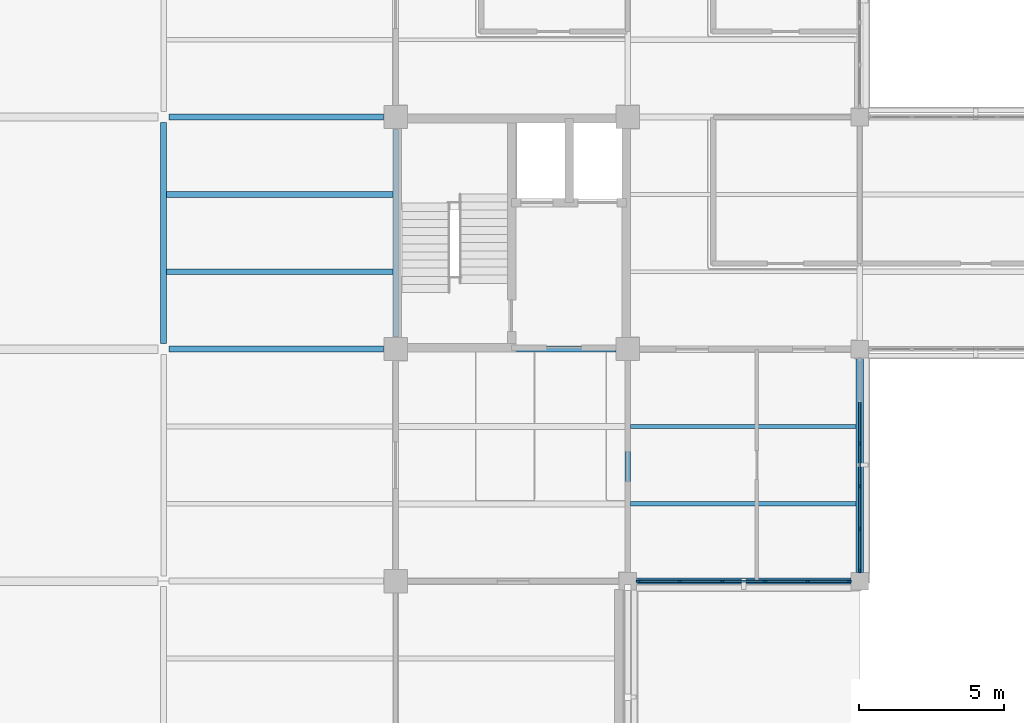
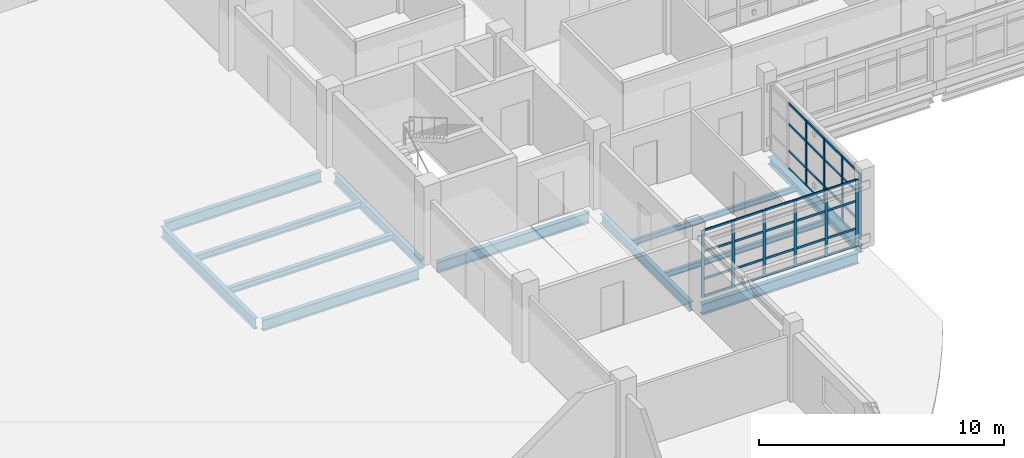
# One storey, part 28 of 126: 46 members, 12 beams, 2 elements without a shape of their own.
"""IFC4 building model written with IfcOpenShell, lengths in metres."""

from ifc_helpers import new_model, si_unit, derived_unit, direction, frame, origin, origin_2d, place, context, subcontext, project, spatial, rectangle, i_section, extrude, material, layer, layer_set, material_profile, profile_set, type_object, element, aggregate, save


model = new_model("IFC4")

# Units and contexts
model_context = context("Model", 3, precision=1e-05, world=origin(), true_north=direction((0.0, 1.0)))
body_context = subcontext(model_context, "Body", "Model", "MODEL_VIEW")
ifc_project = project(units=[si_unit("LENGTHUNIT", "METRE"), si_unit("AREAUNIT", "SQUARE_METRE"), si_unit("VOLUMEUNIT", "CUBIC_METRE"), si_unit("PLANEANGLEUNIT", "RADIAN"), si_unit("MASSUNIT", "GRAM", prefix="KILO"), derived_unit("THERMALTRANSMITTANCEUNIT", [(si_unit("MASSUNIT", "GRAM", prefix="KILO"), 1), (si_unit("TIMEUNIT", "SECOND"), -3), (si_unit("THERMODYNAMICTEMPERATUREUNIT", "KELVIN"), -1)])], contexts=[model_context])

# Site, building, storey
site_placement = place(None, origin())
site = spatial("IfcSite", under=ifc_project, at=site_placement, CompositionType="ELEMENT")
building_placement = place(site_placement, origin())
building = spatial("IfcBuilding", under=site, at=building_placement, Name="Veyamyaing Civic Hall", CompositionType="ELEMENT")
storey_placement = place(building_placement, frame((0.0, 0.0, 9.89990234375)))
storey = spatial("IfcBuildingStorey", under=building, at=storey_placement, Name="L02", CompositionType="ELEMENT", Elevation=9.89990234375)

# Beams
ifc_material_1 = material(Name="Steel ASTM A992", Category="steel")
ifc_material_profile_1 = material_profile(ifc_material_1, i_section(OverallWidth=0.214111328125, OverallDepth=0.549072265625, WebThickness=0.0146484375, FlangeThickness=0.023681640625, FilletRadius=0.011962890625, at=origin_2d()), Name="W530X138")
ifc_profile_set_1 = profile_set([ifc_material_profile_1], Name="Steel ASTM A992")
beam_type_1 = type_object("IfcBeamType", Name="B-16", PredefinedType="BEAM", material=ifc_profile_set_1)
beam_1_placement = place(storey_placement, frame((96.18701171875, 48.0, -0.559326171875), z_axis=(1.0, 0.0, 0.0), x_axis=(0.0, 1.0, 0.0)))
element("IfcBeam", 1, at=beam_1_placement, inside=storey, type_object=beam_type_1, Name="Girder B-16 L02 Grid G 13-14", PredefinedType="BEAM", context=body_context, shape_type="SweptSolid", body=[
    extrude(i_section(OverallWidth=0.214111328125, OverallDepth=0.549072265625, WebThickness=0.0146484375, FlangeThickness=0.023681640625, FilletRadius=0.011962890625, at=origin_2d()), origin(), (0.0, 0.0, 1.0), 7.387939453125),
])
ifc_material_profile_2 = material_profile(ifc_material_1, i_section(OverallWidth=0.2109375, OverallDepth=0.5390625, WebThickness=0.01171875, FlangeThickness=0.018798828125, FilletRadius=0.011962890625, at=origin_2d()), Name="W530X109")
ifc_profile_set_2 = profile_set([ifc_material_profile_2], Name="Steel ASTM A992")
beam_type_2 = type_object("IfcBeamType", Name="B-17", PredefinedType="BEAM", material=ifc_profile_set_2)
beam_2_placement = place(storey_placement, frame((112.300048828125, 40.0, -0.554443359375), z_axis=(1.0, 0.0, 0.0), x_axis=(0.0, 1.0, 0.0)))
element("IfcBeam", 2, at=beam_2_placement, inside=storey, type_object=beam_type_2, Name="Girder B-17 L02 Grid F 15-16", PredefinedType="BEAM", context=body_context, shape_type="SweptSolid", body=[
    extrude(i_section(OverallWidth=0.2109375, OverallDepth=0.5390625, WebThickness=0.01171875, FlangeThickness=0.018798828125, FilletRadius=0.011962890625, at=origin_2d()), origin(), (0.0, 0.0, 1.0), 7.39990234375),
])
beam_3_placement = place(storey_placement, frame((104.425048828125, 48.0, -0.554443359375), z_axis=(1.0, 0.0, 0.0), x_axis=(0.0, 1.0, 0.0)))
element("IfcBeam", 3, at=beam_3_placement, inside=storey, type_object=beam_type_2, Name="Girder B-17 L02 Grid G 14-15", PredefinedType="BEAM", context=body_context, shape_type="SweptSolid", body=[
    extrude(i_section(OverallWidth=0.2109375, OverallDepth=0.5390625, WebThickness=0.01171875, FlangeThickness=0.018798828125, FilletRadius=0.011962890625, at=origin_2d()), origin(), (0.0, 0.0, 1.0), 7.175048828125),
])
beam_4_placement = place(storey_placement, frame((96.18701171875, 56.0, -0.554443359375), z_axis=(1.0, 0.0, 0.0), x_axis=(0.0, 1.0, 0.0)))
element("IfcBeam", 4, at=beam_4_placement, inside=storey, type_object=beam_type_2, Name="Girder B-17 L02 Grid H 13-14", PredefinedType="BEAM", context=body_context, shape_type="SweptSolid", body=[
    extrude(i_section(OverallWidth=0.2109375, OverallDepth=0.5390625, WebThickness=0.01171875, FlangeThickness=0.018798828125, FilletRadius=0.011962890625, at=origin_2d()), origin(), (0.0, 0.0, 1.0), 7.387939453125),
])
beam_5_placement = place(storey_placement, frame((96.0, 48.18603515625, -0.554443359375), z_axis=(0.0, 1.0, 0.0), x_axis=(-1.0, 0.0, 0.0)))
element("IfcBeam", 5, at=beam_5_placement, inside=storey, type_object=beam_type_2, Name="Girder B-17 L02 Grid 13 G-H", PredefinedType="BEAM", context=body_context, shape_type="SweptSolid", body=[
    extrude(i_section(OverallWidth=0.2109375, OverallDepth=0.5390625, WebThickness=0.01171875, FlangeThickness=0.018798828125, FilletRadius=0.011962890625, at=origin_2d()), origin(), (0.0, 0.0, 1.0), 7.6279296875),
])
ifc_material_profile_3 = material_profile(ifc_material_1, i_section(OverallWidth=0.194091796875, OverallDepth=0.468994140625, WebThickness=0.0126953125, FlangeThickness=0.0205078125, FilletRadius=0.010009765625, at=origin_2d()), Name="W460X106")
ifc_profile_set_3 = profile_set([ifc_material_profile_3], Name="Steel ASTM A992")
beam_type_3 = type_object("IfcBeamType", Name="B-18", PredefinedType="BEAM", material=ifc_profile_set_3)
beam_6_placement = place(storey_placement, frame((104.0, 48.425048828125, -0.519287109375), z_axis=(0.0, 1.0, 0.0), x_axis=(-1.0, 0.0, 0.0)))
element("IfcBeam", 6, at=beam_6_placement, inside=storey, type_object=beam_type_3, Name="Girder B-18 L02 Grid 14 G-H", PredefinedType="BEAM", context=body_context, shape_type="SweptSolid", body=[
    extrude(i_section(OverallWidth=0.194091796875, OverallDepth=0.468994140625, WebThickness=0.0126953125, FlangeThickness=0.0205078125, FilletRadius=0.010009765625, at=origin_2d()), origin(), (0.0, 0.0, 1.0), 7.14990234375),
])
beam_7_placement = place(storey_placement, frame((112.0, 40.300048828125, -0.519287109375), z_axis=(0.0, 1.0, 0.0), x_axis=(-1.0, 0.0, 0.0)))
element("IfcBeam", 7, at=beam_7_placement, inside=storey, type_object=beam_type_3, Name="Girder B-18 L02 Grid 15 F-G", PredefinedType="BEAM", context=body_context, shape_type="SweptSolid", body=[
    extrude(i_section(OverallWidth=0.194091796875, OverallDepth=0.468994140625, WebThickness=0.0126953125, FlangeThickness=0.0205078125, FilletRadius=0.010009765625, at=origin_2d()), origin(), (0.0, 0.0, 1.0), 7.300048828125),
])
ifc_material_profile_4 = material_profile(ifc_material_1, i_section(OverallWidth=0.25390625, OverallDepth=0.35302734375, WebThickness=0.009521484375, FlangeThickness=0.016357421875, FilletRadius=0.011962890625, at=origin_2d()), Name="W360X91")
ifc_profile_set_4 = profile_set([ifc_material_profile_4], Name="Steel ASTM A992")
beam_type_4 = type_object("IfcBeamType", Name="B-20", PredefinedType="SPANDREL", material=ifc_profile_set_4)
beam_8_placement = place(storey_placement, frame((120.0, 40.300048828125, -0.46142578125), z_axis=(0.0, 1.0, 0.0), x_axis=(-1.0, 0.0, 0.0)))
element("IfcBeam", 8, at=beam_8_placement, inside=storey, type_object=beam_type_4, Name="Girder B-20 L02 Grid 16 F-G", PredefinedType="SPANDREL", context=body_context, shape_type="SweptSolid", body=[
    extrude(i_section(OverallWidth=0.25390625, OverallDepth=0.35302734375, WebThickness=0.009521484375, FlangeThickness=0.016357421875, FilletRadius=0.011962890625, at=origin_2d()), origin(), (0.0, 0.0, 1.0), 7.39990234375),
])

# Curtain wall, members
ifc_material_2 = material(Name="Anodised aluminium 6063-T6", Category="aluminium")
ifc_layer = layer(ifc_material_2, 0.139892578125, Name="Anodised aluminium 6063-T6")
ifc_layer_set = layer_set([ifc_layer], Name="Anodised aluminium 6063-T6")
curtain_wall_type = type_object("IfcCurtainWallType", Name="CW-04", PredefinedType="NOTDEFINED", material=ifc_layer_set)
curtain_wall_1_placement = place(storey_placement, origin())
curtain_wall_1 = element("IfcCurtainWall", 9, at=curtain_wall_1_placement, inside=storey, type_object=curtain_wall_type, Name="Unitized curtain wall CW-04 L02 S 15.6", PredefinedType="NOTDEFINED")
ifc_material_profile_5 = material_profile(ifc_material_2, rectangle(XDim=0.06005859375, YDim=0.139892578125, at=origin_2d()), Name="ALU-MUL-60X140")
ifc_profile_set_5 = profile_set([ifc_material_profile_5], Name="Anodised aluminium 6063-T6")
member_type_1 = type_object("IfcMemberType", Name="CWM-03", PredefinedType="MULLION", material=ifc_profile_set_5)
member_1_placement = place(storey_placement, frame((112.360107421875, 40.0, 0.0), z_axis=(0.0, 0.0, 1.0), x_axis=(0.0, 1.0, 0.0)))
member_1 = element("IfcMember", 10, at=member_1_placement, type_object=member_type_1, Name="CW-04 mullion 1", PredefinedType="MULLION", context=body_context, shape_type="SweptSolid", body=[
    extrude(rectangle(XDim=0.06005859375, YDim=0.139892578125, at=origin_2d()), origin(), (0.0, 0.0, 1.0), 3.343994140625),
])
member_2_placement = place(storey_placement, frame((113.798095703125, 40.0, 0.0), z_axis=(0.0, 0.0, 1.0), x_axis=(0.0, 1.0, 0.0)))
member_2 = element("IfcMember", 11, at=member_2_placement, type_object=member_type_1, Name="CW-04 mullion 2", PredefinedType="MULLION", context=body_context, shape_type="SweptSolid", body=[
    extrude(rectangle(XDim=0.06005859375, YDim=0.139892578125, at=origin_2d()), origin(), (0.0, 0.0, 1.0), 3.343994140625),
])
member_3_placement = place(storey_placement, frame((115.26611328125, 40.0, 0.0), z_axis=(0.0, 0.0, 1.0), x_axis=(0.0, 1.0, 0.0)))
member_3 = element("IfcMember", 12, at=member_3_placement, type_object=member_type_1, Name="CW-04 mullion 3", PredefinedType="MULLION", context=body_context, shape_type="SweptSolid", body=[
    extrude(rectangle(XDim=0.06005859375, YDim=0.139892578125, at=origin_2d()), origin(), (0.0, 0.0, 1.0), 3.343994140625),
])
member_4_placement = place(storey_placement, frame((116.73388671875, 40.0, 0.0), z_axis=(0.0, 0.0, 1.0), x_axis=(0.0, 1.0, 0.0)))
member_4 = element("IfcMember", 13, at=member_4_placement, type_object=member_type_1, Name="CW-04 mullion 4", PredefinedType="MULLION", context=body_context, shape_type="SweptSolid", body=[
    extrude(rectangle(XDim=0.06005859375, YDim=0.139892578125, at=origin_2d()), origin(), (0.0, 0.0, 1.0), 3.343994140625),
])
member_5_placement = place(storey_placement, frame((118.201904296875, 40.0, 0.0), z_axis=(0.0, 0.0, 1.0), x_axis=(0.0, 1.0, 0.0)))
member_5 = element("IfcMember", 14, at=member_5_placement, type_object=member_type_1, Name="CW-04 mullion 5", PredefinedType="MULLION", context=body_context, shape_type="SweptSolid", body=[
    extrude(rectangle(XDim=0.06005859375, YDim=0.139892578125, at=origin_2d()), origin(), (0.0, 0.0, 1.0), 3.343994140625),
])
member_6_placement = place(storey_placement, frame((119.639892578125, 40.0, 0.0), z_axis=(0.0, 0.0, 1.0), x_axis=(0.0, 1.0, 0.0)))
member_6 = element("IfcMember", 15, at=member_6_placement, type_object=member_type_1, Name="CW-04 mullion 6", PredefinedType="MULLION", context=body_context, shape_type="SweptSolid", body=[
    extrude(rectangle(XDim=0.06005859375, YDim=0.139892578125, at=origin_2d()), origin(), (0.0, 0.0, 1.0), 3.343994140625),
])

curtain_wall_2_placement = place(storey_placement, origin())
curtain_wall_2 = element("IfcCurtainWall", 16, at=curtain_wall_2_placement, inside=storey, type_object=curtain_wall_type, Name="Unitized curtain wall CW-04 L02 E 15.6", PredefinedType="NOTDEFINED")
member_7_placement = place(storey_placement, frame((120.0, 40.360107421875, 0.0), z_axis=(0.0, 0.0, 1.0), x_axis=(-1.0, 0.0, 0.0)))
member_7 = element("IfcMember", 17, at=member_7_placement, type_object=member_type_1, Name="CW-04 mullion 1", PredefinedType="MULLION", context=body_context, shape_type="SweptSolid", body=[
    extrude(rectangle(XDim=0.06005859375, YDim=0.139892578125, at=origin_2d()), origin(), (0.0, 0.0, 1.0), 3.2841796875),
])
member_8_placement = place(storey_placement, frame((120.0, 41.798095703125, 0.0), z_axis=(0.0, 0.0, 1.0), x_axis=(-1.0, 0.0, 0.0)))
member_8 = element("IfcMember", 18, at=member_8_placement, type_object=member_type_1, Name="CW-04 mullion 2", PredefinedType="MULLION", context=body_context, shape_type="SweptSolid", body=[
    extrude(rectangle(XDim=0.06005859375, YDim=0.139892578125, at=origin_2d()), origin(), (0.0, 0.0, 1.0), 3.2841796875),
])
member_9_placement = place(storey_placement, frame((120.0, 43.26611328125, 0.0), z_axis=(0.0, 0.0, 1.0), x_axis=(-1.0, 0.0, 0.0)))
member_9 = element("IfcMember", 19, at=member_9_placement, type_object=member_type_1, Name="CW-04 mullion 3", PredefinedType="MULLION", context=body_context, shape_type="SweptSolid", body=[
    extrude(rectangle(XDim=0.06005859375, YDim=0.139892578125, at=origin_2d()), origin(), (0.0, 0.0, 1.0), 3.2841796875),
])
member_10_placement = place(storey_placement, frame((120.0, 44.73388671875, 0.0), z_axis=(0.0, 0.0, 1.0), x_axis=(-1.0, 0.0, 0.0)))
member_10 = element("IfcMember", 20, at=member_10_placement, type_object=member_type_1, Name="CW-04 mullion 4", PredefinedType="MULLION", context=body_context, shape_type="SweptSolid", body=[
    extrude(rectangle(XDim=0.06005859375, YDim=0.139892578125, at=origin_2d()), origin(), (0.0, 0.0, 1.0), 3.2841796875),
])

# Member
ifc_material_profile_6 = material_profile(ifc_material_2, rectangle(XDim=0.06005859375, YDim=0.10009765625, at=origin_2d()), Name="ALU-TRN-60X100")
ifc_profile_set_6 = profile_set([ifc_material_profile_6], Name="Anodised aluminium 6063-T6")
member_type_2 = type_object("IfcMemberType", Name="CWT-03", PredefinedType="USERDEFINED", material=ifc_profile_set_6)
member_11_placement = place(storey_placement, frame((112.389892578125, 40.0, 0.030029296875), z_axis=(1.0, 0.0, 0.0), x_axis=(0.0, 1.0, 0.0)))
member_11 = element("IfcMember", 21, at=member_11_placement, type_object=member_type_2, Name="CW-04 transom 1.1", ObjectType="TRANSOM", PredefinedType="USERDEFINED", context=body_context, shape_type="SweptSolid", body=[
    extrude(rectangle(XDim=0.06005859375, YDim=0.10009765625, at=origin_2d()), origin(), (0.0, 0.0, 1.0), 1.378173828125),
])

member_12_placement = place(storey_placement, frame((112.389892578125, 40.0, 0.900146484375), z_axis=(1.0, 0.0, 0.0), x_axis=(0.0, 1.0, 0.0)))
member_12 = element("IfcMember", 22, at=member_12_placement, type_object=member_type_2, Name="CW-04 transom 1.2", ObjectType="TRANSOM", PredefinedType="USERDEFINED", context=body_context, shape_type="SweptSolid", body=[
    extrude(rectangle(XDim=0.06005859375, YDim=0.10009765625, at=origin_2d()), origin(), (0.0, 0.0, 1.0), 1.378173828125),
])

member_13_placement = place(storey_placement, frame((112.389892578125, 40.0, 2.27392578125), z_axis=(1.0, 0.0, 0.0), x_axis=(0.0, 1.0, 0.0)))
member_13 = element("IfcMember", 23, at=member_13_placement, type_object=member_type_2, Name="CW-04 transom 1.3", ObjectType="TRANSOM", PredefinedType="USERDEFINED", context=body_context, shape_type="SweptSolid", body=[
    extrude(rectangle(XDim=0.06005859375, YDim=0.10009765625, at=origin_2d()), origin(), (0.0, 0.0, 1.0), 1.378173828125),
])

member_14_placement = place(storey_placement, frame((112.389892578125, 40.0, 3.314208984375), z_axis=(1.0, 0.0, 0.0), x_axis=(0.0, 1.0, 0.0)))
member_14 = element("IfcMember", 24, at=member_14_placement, type_object=member_type_2, Name="CW-04 transom 1.4", ObjectType="TRANSOM", PredefinedType="USERDEFINED", context=body_context, shape_type="SweptSolid", body=[
    extrude(rectangle(XDim=0.06005859375, YDim=0.10009765625, at=origin_2d()), origin(), (0.0, 0.0, 1.0), 1.378173828125),
])

member_15_placement = place(storey_placement, frame((113.827880859375, 40.0, 0.030029296875), z_axis=(1.0, 0.0, 0.0), x_axis=(0.0, 1.0, 0.0)))
member_15 = element("IfcMember", 25, at=member_15_placement, type_object=member_type_2, Name="CW-04 transom 2.1", ObjectType="TRANSOM", PredefinedType="USERDEFINED", context=body_context, shape_type="SweptSolid", body=[
    extrude(rectangle(XDim=0.06005859375, YDim=0.10009765625, at=origin_2d()), origin(), (0.0, 0.0, 1.0), 1.408203125),
])

member_16_placement = place(storey_placement, frame((113.827880859375, 40.0, 0.900146484375), z_axis=(1.0, 0.0, 0.0), x_axis=(0.0, 1.0, 0.0)))
member_16 = element("IfcMember", 26, at=member_16_placement, type_object=member_type_2, Name="CW-04 transom 2.2", ObjectType="TRANSOM", PredefinedType="USERDEFINED", context=body_context, shape_type="SweptSolid", body=[
    extrude(rectangle(XDim=0.06005859375, YDim=0.10009765625, at=origin_2d()), origin(), (0.0, 0.0, 1.0), 1.408203125),
])

member_17_placement = place(storey_placement, frame((113.827880859375, 40.0, 2.27392578125), z_axis=(1.0, 0.0, 0.0), x_axis=(0.0, 1.0, 0.0)))
member_17 = element("IfcMember", 27, at=member_17_placement, type_object=member_type_2, Name="CW-04 transom 2.3", ObjectType="TRANSOM", PredefinedType="USERDEFINED", context=body_context, shape_type="SweptSolid", body=[
    extrude(rectangle(XDim=0.06005859375, YDim=0.10009765625, at=origin_2d()), origin(), (0.0, 0.0, 1.0), 1.408203125),
])

member_18_placement = place(storey_placement, frame((113.827880859375, 40.0, 3.314208984375), z_axis=(1.0, 0.0, 0.0), x_axis=(0.0, 1.0, 0.0)))
member_18 = element("IfcMember", 28, at=member_18_placement, type_object=member_type_2, Name="CW-04 transom 2.4", ObjectType="TRANSOM", PredefinedType="USERDEFINED", context=body_context, shape_type="SweptSolid", body=[
    extrude(rectangle(XDim=0.06005859375, YDim=0.10009765625, at=origin_2d()), origin(), (0.0, 0.0, 1.0), 1.408203125),
])

member_19_placement = place(storey_placement, frame((115.2958984375, 40.0, 0.030029296875), z_axis=(1.0, 0.0, 0.0), x_axis=(0.0, 1.0, 0.0)))
member_19 = element("IfcMember", 29, at=member_19_placement, type_object=member_type_2, Name="CW-04 transom 3.1", ObjectType="TRANSOM", PredefinedType="USERDEFINED", context=body_context, shape_type="SweptSolid", body=[
    extrude(rectangle(XDim=0.06005859375, YDim=0.10009765625, at=origin_2d()), origin(), (0.0, 0.0, 1.0), 1.408203125),
])

member_20_placement = place(storey_placement, frame((115.2958984375, 40.0, 0.900146484375), z_axis=(1.0, 0.0, 0.0), x_axis=(0.0, 1.0, 0.0)))
member_20 = element("IfcMember", 30, at=member_20_placement, type_object=member_type_2, Name="CW-04 transom 3.2", ObjectType="TRANSOM", PredefinedType="USERDEFINED", context=body_context, shape_type="SweptSolid", body=[
    extrude(rectangle(XDim=0.06005859375, YDim=0.10009765625, at=origin_2d()), origin(), (0.0, 0.0, 1.0), 1.408203125),
])

member_21_placement = place(storey_placement, frame((115.2958984375, 40.0, 2.27392578125), z_axis=(1.0, 0.0, 0.0), x_axis=(0.0, 1.0, 0.0)))
member_21 = element("IfcMember", 31, at=member_21_placement, type_object=member_type_2, Name="CW-04 transom 3.3", ObjectType="TRANSOM", PredefinedType="USERDEFINED", context=body_context, shape_type="SweptSolid", body=[
    extrude(rectangle(XDim=0.06005859375, YDim=0.10009765625, at=origin_2d()), origin(), (0.0, 0.0, 1.0), 1.408203125),
])

member_22_placement = place(storey_placement, frame((115.2958984375, 40.0, 3.314208984375), z_axis=(1.0, 0.0, 0.0), x_axis=(0.0, 1.0, 0.0)))
member_22 = element("IfcMember", 32, at=member_22_placement, type_object=member_type_2, Name="CW-04 transom 3.4", ObjectType="TRANSOM", PredefinedType="USERDEFINED", context=body_context, shape_type="SweptSolid", body=[
    extrude(rectangle(XDim=0.06005859375, YDim=0.10009765625, at=origin_2d()), origin(), (0.0, 0.0, 1.0), 1.408203125),
])

member_23_placement = place(storey_placement, frame((116.763916015625, 40.0, 0.030029296875), z_axis=(1.0, 0.0, 0.0), x_axis=(0.0, 1.0, 0.0)))
member_23 = element("IfcMember", 33, at=member_23_placement, type_object=member_type_2, Name="CW-04 transom 4.1", ObjectType="TRANSOM", PredefinedType="USERDEFINED", context=body_context, shape_type="SweptSolid", body=[
    extrude(rectangle(XDim=0.06005859375, YDim=0.10009765625, at=origin_2d()), origin(), (0.0, 0.0, 1.0), 1.408203125),
])

member_24_placement = place(storey_placement, frame((116.763916015625, 40.0, 0.900146484375), z_axis=(1.0, 0.0, 0.0), x_axis=(0.0, 1.0, 0.0)))
member_24 = element("IfcMember", 34, at=member_24_placement, type_object=member_type_2, Name="CW-04 transom 4.2", ObjectType="TRANSOM", PredefinedType="USERDEFINED", context=body_context, shape_type="SweptSolid", body=[
    extrude(rectangle(XDim=0.06005859375, YDim=0.10009765625, at=origin_2d()), origin(), (0.0, 0.0, 1.0), 1.408203125),
])

member_25_placement = place(storey_placement, frame((116.763916015625, 40.0, 2.27392578125), z_axis=(1.0, 0.0, 0.0), x_axis=(0.0, 1.0, 0.0)))
member_25 = element("IfcMember", 35, at=member_25_placement, type_object=member_type_2, Name="CW-04 transom 4.3", ObjectType="TRANSOM", PredefinedType="USERDEFINED", context=body_context, shape_type="SweptSolid", body=[
    extrude(rectangle(XDim=0.06005859375, YDim=0.10009765625, at=origin_2d()), origin(), (0.0, 0.0, 1.0), 1.408203125),
])

member_26_placement = place(storey_placement, frame((116.763916015625, 40.0, 3.314208984375), z_axis=(1.0, 0.0, 0.0), x_axis=(0.0, 1.0, 0.0)))
member_26 = element("IfcMember", 36, at=member_26_placement, type_object=member_type_2, Name="CW-04 transom 4.4", ObjectType="TRANSOM", PredefinedType="USERDEFINED", context=body_context, shape_type="SweptSolid", body=[
    extrude(rectangle(XDim=0.06005859375, YDim=0.10009765625, at=origin_2d()), origin(), (0.0, 0.0, 1.0), 1.408203125),
])

member_27_placement = place(storey_placement, frame((118.23193359375, 40.0, 0.030029296875), z_axis=(1.0, 0.0, 0.0), x_axis=(0.0, 1.0, 0.0)))
member_27 = element("IfcMember", 37, at=member_27_placement, type_object=member_type_2, Name="CW-04 transom 5.1", ObjectType="TRANSOM", PredefinedType="USERDEFINED", context=body_context, shape_type="SweptSolid", body=[
    extrude(rectangle(XDim=0.06005859375, YDim=0.10009765625, at=origin_2d()), origin(), (0.0, 0.0, 1.0), 1.378173828125),
])

member_28_placement = place(storey_placement, frame((118.23193359375, 40.0, 0.900146484375), z_axis=(1.0, 0.0, 0.0), x_axis=(0.0, 1.0, 0.0)))
member_28 = element("IfcMember", 38, at=member_28_placement, type_object=member_type_2, Name="CW-04 transom 5.2", ObjectType="TRANSOM", PredefinedType="USERDEFINED", context=body_context, shape_type="SweptSolid", body=[
    extrude(rectangle(XDim=0.06005859375, YDim=0.10009765625, at=origin_2d()), origin(), (0.0, 0.0, 1.0), 1.378173828125),
])

member_29_placement = place(storey_placement, frame((118.23193359375, 40.0, 2.27392578125), z_axis=(1.0, 0.0, 0.0), x_axis=(0.0, 1.0, 0.0)))
member_29 = element("IfcMember", 39, at=member_29_placement, type_object=member_type_2, Name="CW-04 transom 5.3", ObjectType="TRANSOM", PredefinedType="USERDEFINED", context=body_context, shape_type="SweptSolid", body=[
    extrude(rectangle(XDim=0.06005859375, YDim=0.10009765625, at=origin_2d()), origin(), (0.0, 0.0, 1.0), 1.378173828125),
])

member_30_placement = place(storey_placement, frame((118.23193359375, 40.0, 3.314208984375), z_axis=(1.0, 0.0, 0.0), x_axis=(0.0, 1.0, 0.0)))
member_30 = element("IfcMember", 40, at=member_30_placement, type_object=member_type_2, Name="CW-04 transom 5.4", ObjectType="TRANSOM", PredefinedType="USERDEFINED", context=body_context, shape_type="SweptSolid", body=[
    extrude(rectangle(XDim=0.06005859375, YDim=0.10009765625, at=origin_2d()), origin(), (0.0, 0.0, 1.0), 1.378173828125),
])

aggregate(curtain_wall_1, [member_1, member_2, member_3, member_4, member_5, member_6, member_11, member_12, member_13, member_14, member_15, member_16, member_17, member_18, member_19, member_20, member_21, member_22, member_23, member_24, member_25, member_26, member_27, member_28, member_29, member_30])

member_31_placement = place(storey_placement, frame((120.0, 40.389892578125, 0.030029296875), z_axis=(0.0, 1.0, 0.0), x_axis=(-1.0, 0.0, 0.0)))
member_31 = element("IfcMember", 41, at=member_31_placement, type_object=member_type_2, Name="CW-04 transom 1.1", ObjectType="TRANSOM", PredefinedType="USERDEFINED", context=body_context, shape_type="SweptSolid", body=[
    extrude(rectangle(XDim=0.06005859375, YDim=0.10009765625, at=origin_2d()), origin(), (0.0, 0.0, 1.0), 1.378173828125),
])

member_32_placement = place(storey_placement, frame((120.0, 40.389892578125, 0.900146484375), z_axis=(0.0, 1.0, 0.0), x_axis=(-1.0, 0.0, 0.0)))
member_32 = element("IfcMember", 42, at=member_32_placement, type_object=member_type_2, Name="CW-04 transom 1.2", ObjectType="TRANSOM", PredefinedType="USERDEFINED", context=body_context, shape_type="SweptSolid", body=[
    extrude(rectangle(XDim=0.06005859375, YDim=0.10009765625, at=origin_2d()), origin(), (0.0, 0.0, 1.0), 1.378173828125),
])

member_33_placement = place(storey_placement, frame((120.0, 40.389892578125, 2.233154296875), z_axis=(0.0, 1.0, 0.0), x_axis=(-1.0, 0.0, 0.0)))
member_33 = element("IfcMember", 43, at=member_33_placement, type_object=member_type_2, Name="CW-04 transom 1.3", ObjectType="TRANSOM", PredefinedType="USERDEFINED", context=body_context, shape_type="SweptSolid", body=[
    extrude(rectangle(XDim=0.06005859375, YDim=0.10009765625, at=origin_2d()), origin(), (0.0, 0.0, 1.0), 1.378173828125),
])

member_34_placement = place(storey_placement, frame((120.0, 40.389892578125, 3.254150390625), z_axis=(0.0, 1.0, 0.0), x_axis=(-1.0, 0.0, 0.0)))
member_34 = element("IfcMember", 44, at=member_34_placement, type_object=member_type_2, Name="CW-04 transom 1.4", ObjectType="TRANSOM", PredefinedType="USERDEFINED", context=body_context, shape_type="SweptSolid", body=[
    extrude(rectangle(XDim=0.06005859375, YDim=0.10009765625, at=origin_2d()), origin(), (0.0, 0.0, 1.0), 1.378173828125),
])

member_35_placement = place(storey_placement, frame((120.0, 41.827880859375, 0.030029296875), z_axis=(0.0, 1.0, 0.0), x_axis=(-1.0, 0.0, 0.0)))
member_35 = element("IfcMember", 45, at=member_35_placement, type_object=member_type_2, Name="CW-04 transom 2.1", ObjectType="TRANSOM", PredefinedType="USERDEFINED", context=body_context, shape_type="SweptSolid", body=[
    extrude(rectangle(XDim=0.06005859375, YDim=0.10009765625, at=origin_2d()), origin(), (0.0, 0.0, 1.0), 1.408203125),
])

member_36_placement = place(storey_placement, frame((120.0, 41.827880859375, 0.900146484375), z_axis=(0.0, 1.0, 0.0), x_axis=(-1.0, 0.0, 0.0)))
member_36 = element("IfcMember", 46, at=member_36_placement, type_object=member_type_2, Name="CW-04 transom 2.2", ObjectType="TRANSOM", PredefinedType="USERDEFINED", context=body_context, shape_type="SweptSolid", body=[
    extrude(rectangle(XDim=0.06005859375, YDim=0.10009765625, at=origin_2d()), origin(), (0.0, 0.0, 1.0), 1.408203125),
])

member_37_placement = place(storey_placement, frame((120.0, 41.827880859375, 2.233154296875), z_axis=(0.0, 1.0, 0.0), x_axis=(-1.0, 0.0, 0.0)))
member_37 = element("IfcMember", 47, at=member_37_placement, type_object=member_type_2, Name="CW-04 transom 2.3", ObjectType="TRANSOM", PredefinedType="USERDEFINED", context=body_context, shape_type="SweptSolid", body=[
    extrude(rectangle(XDim=0.06005859375, YDim=0.10009765625, at=origin_2d()), origin(), (0.0, 0.0, 1.0), 1.408203125),
])

member_38_placement = place(storey_placement, frame((120.0, 41.827880859375, 3.254150390625), z_axis=(0.0, 1.0, 0.0), x_axis=(-1.0, 0.0, 0.0)))
member_38 = element("IfcMember", 48, at=member_38_placement, type_object=member_type_2, Name="CW-04 transom 2.4", ObjectType="TRANSOM", PredefinedType="USERDEFINED", context=body_context, shape_type="SweptSolid", body=[
    extrude(rectangle(XDim=0.06005859375, YDim=0.10009765625, at=origin_2d()), origin(), (0.0, 0.0, 1.0), 1.408203125),
])

member_39_placement = place(storey_placement, frame((120.0, 43.2958984375, 0.030029296875), z_axis=(0.0, 1.0, 0.0), x_axis=(-1.0, 0.0, 0.0)))
member_39 = element("IfcMember", 49, at=member_39_placement, type_object=member_type_2, Name="CW-04 transom 3.1", ObjectType="TRANSOM", PredefinedType="USERDEFINED", context=body_context, shape_type="SweptSolid", body=[
    extrude(rectangle(XDim=0.06005859375, YDim=0.10009765625, at=origin_2d()), origin(), (0.0, 0.0, 1.0), 1.408203125),
])

member_40_placement = place(storey_placement, frame((120.0, 43.2958984375, 0.900146484375), z_axis=(0.0, 1.0, 0.0), x_axis=(-1.0, 0.0, 0.0)))
member_40 = element("IfcMember", 50, at=member_40_placement, type_object=member_type_2, Name="CW-04 transom 3.2", ObjectType="TRANSOM", PredefinedType="USERDEFINED", context=body_context, shape_type="SweptSolid", body=[
    extrude(rectangle(XDim=0.06005859375, YDim=0.10009765625, at=origin_2d()), origin(), (0.0, 0.0, 1.0), 1.408203125),
])

member_41_placement = place(storey_placement, frame((120.0, 43.2958984375, 2.233154296875), z_axis=(0.0, 1.0, 0.0), x_axis=(-1.0, 0.0, 0.0)))
member_41 = element("IfcMember", 51, at=member_41_placement, type_object=member_type_2, Name="CW-04 transom 3.3", ObjectType="TRANSOM", PredefinedType="USERDEFINED", context=body_context, shape_type="SweptSolid", body=[
    extrude(rectangle(XDim=0.06005859375, YDim=0.10009765625, at=origin_2d()), origin(), (0.0, 0.0, 1.0), 1.408203125),
])

member_42_placement = place(storey_placement, frame((120.0, 43.2958984375, 3.254150390625), z_axis=(0.0, 1.0, 0.0), x_axis=(-1.0, 0.0, 0.0)))
member_42 = element("IfcMember", 52, at=member_42_placement, type_object=member_type_2, Name="CW-04 transom 3.4", ObjectType="TRANSOM", PredefinedType="USERDEFINED", context=body_context, shape_type="SweptSolid", body=[
    extrude(rectangle(XDim=0.06005859375, YDim=0.10009765625, at=origin_2d()), origin(), (0.0, 0.0, 1.0), 1.408203125),
])

member_43_placement = place(storey_placement, frame((120.0, 44.763916015625, 0.030029296875), z_axis=(0.0, 1.0, 0.0), x_axis=(-1.0, 0.0, 0.0)))
member_43 = element("IfcMember", 53, at=member_43_placement, type_object=member_type_2, Name="CW-04 transom 4.1", ObjectType="TRANSOM", PredefinedType="USERDEFINED", context=body_context, shape_type="SweptSolid", body=[
    extrude(rectangle(XDim=0.06005859375, YDim=0.10009765625, at=origin_2d()), origin(), (0.0, 0.0, 1.0), 1.408203125),
])

member_44_placement = place(storey_placement, frame((120.0, 44.763916015625, 0.900146484375), z_axis=(0.0, 1.0, 0.0), x_axis=(-1.0, 0.0, 0.0)))
member_44 = element("IfcMember", 54, at=member_44_placement, type_object=member_type_2, Name="CW-04 transom 4.2", ObjectType="TRANSOM", PredefinedType="USERDEFINED", context=body_context, shape_type="SweptSolid", body=[
    extrude(rectangle(XDim=0.06005859375, YDim=0.10009765625, at=origin_2d()), origin(), (0.0, 0.0, 1.0), 1.408203125),
])

member_45_placement = place(storey_placement, frame((120.0, 44.763916015625, 2.233154296875), z_axis=(0.0, 1.0, 0.0), x_axis=(-1.0, 0.0, 0.0)))
member_45 = element("IfcMember", 55, at=member_45_placement, type_object=member_type_2, Name="CW-04 transom 4.3", ObjectType="TRANSOM", PredefinedType="USERDEFINED", context=body_context, shape_type="SweptSolid", body=[
    extrude(rectangle(XDim=0.06005859375, YDim=0.10009765625, at=origin_2d()), origin(), (0.0, 0.0, 1.0), 1.408203125),
])

member_46_placement = place(storey_placement, frame((120.0, 44.763916015625, 3.254150390625), z_axis=(0.0, 1.0, 0.0), x_axis=(-1.0, 0.0, 0.0)))
member_46 = element("IfcMember", 56, at=member_46_placement, type_object=member_type_2, Name="CW-04 transom 4.4", ObjectType="TRANSOM", PredefinedType="USERDEFINED", context=body_context, shape_type="SweptSolid", body=[
    extrude(rectangle(XDim=0.06005859375, YDim=0.10009765625, at=origin_2d()), origin(), (0.0, 0.0, 1.0), 1.408203125),
])

aggregate(curtain_wall_2, [member_7, member_8, member_9, member_10, member_31, member_32, member_33, member_34, member_35, member_36, member_37, member_38, member_39, member_40, member_41, member_42, member_43, member_44, member_45, member_46])

# Beams
ifc_material_profile_7 = material_profile(ifc_material_1, i_section(OverallWidth=0.2041015625, OverallDepth=0.305908203125, WebThickness=0.008544921875, FlangeThickness=0.0146484375, FilletRadius=0.010009765625, at=origin_2d()), Name="W310X67")
ifc_profile_set_7 = profile_set([ifc_material_profile_7], Name="Steel ASTM A992")
beam_type_5 = type_object("IfcBeamType", Name="J-06", PredefinedType="JOIST", material=ifc_profile_set_7)
for number, where, z_axis, x_axis, name in (
    (57, (96.103515625, 50.666748046875, -0.43798828125), (1.0, 0.0, 0.0), (0.0, 1.0, 0.0), "Composite floor joist J-06 L02 13.7.1"),
    (58, (96.103515625, 53.333251953125, -0.43798828125), (1.0, 0.0, 0.0), (0.0, 1.0, 0.0), "Composite floor joist J-06 L02 13.7.2"),
):
    element("IfcBeam", number, at=place(storey_placement, frame(where, z_axis=z_axis, x_axis=x_axis)), inside=storey, type_object=beam_type_5, Name=name, PredefinedType="JOIST", context=body_context, shape_type="SweptSolid", body=[
        extrude(i_section(OverallWidth=0.2041015625, OverallDepth=0.305908203125, WebThickness=0.008544921875, FlangeThickness=0.0146484375, FilletRadius=0.010009765625, at=origin_2d()), origin(), (0.0, 0.0, 1.0), 7.801513671875),
    ])
ifc_material_profile_8 = material_profile(ifc_material_1, i_section(OverallWidth=0.14794921875, OverallDepth=0.26611328125, WebThickness=0.007568359375, FlangeThickness=0.012939453125, FilletRadius=0.010009765625, at=origin_2d()), Name="W250X45")
ifc_profile_set_8 = profile_set([ifc_material_profile_8], Name="Steel ASTM A992")
beam_type_6 = type_object("IfcBeamType", Name="J-07", PredefinedType="JOIST", material=ifc_profile_set_8)
for number, where, z_axis, x_axis, name in (
    (59, (112.094970703125, 42.666748046875, -0.41796875), (1.0, 0.0, 0.0), (0.0, 1.0, 0.0), "Composite floor joist J-07 L02 15.6.1"),
    (60, (112.094970703125, 45.333251953125, -0.41796875), (1.0, 0.0, 0.0), (0.0, 1.0, 0.0), "Composite floor joist J-07 L02 15.6.2"),
):
    element("IfcBeam", number, at=place(storey_placement, frame(where, z_axis=z_axis, x_axis=x_axis)), inside=storey, type_object=beam_type_6, Name=name, PredefinedType="JOIST", context=body_context, shape_type="SweptSolid", body=[
        extrude(i_section(OverallWidth=0.14794921875, OverallDepth=0.26611328125, WebThickness=0.007568359375, FlangeThickness=0.012939453125, FilletRadius=0.010009765625, at=origin_2d()), origin(), (0.0, 0.0, 1.0), 7.780029296875),
    ])

save(model, "model.ifc")
